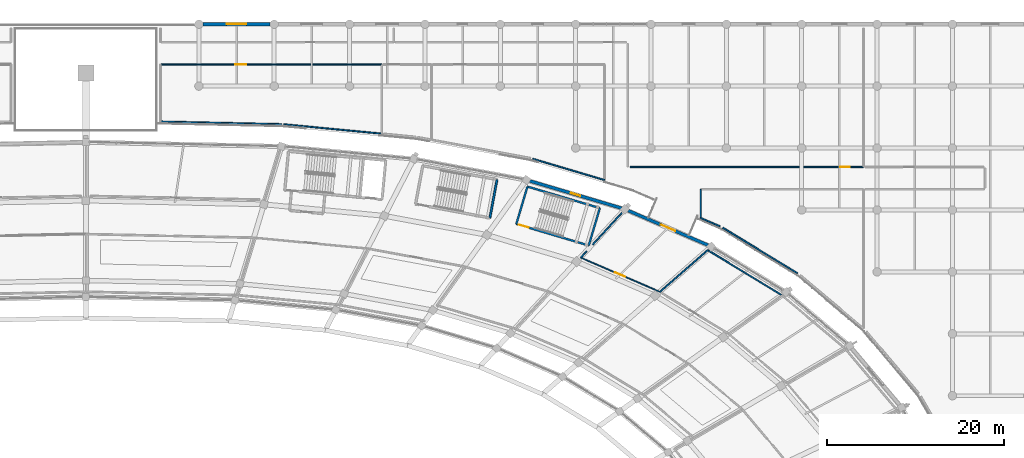
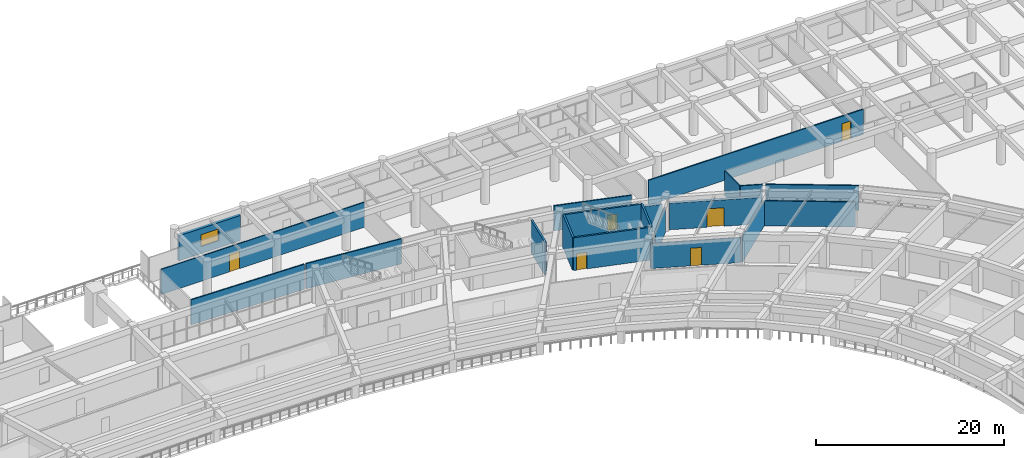
# One storey, part 112 of 145: 21 walls, 5 doors, 2 windows, 7 openings.
"""IFC4 building model written with IfcOpenShell, lengths in metres."""

import ifcopenshell
import ifcopenshell.guid

model = None  # the IFC model being written
_history = None  # IfcOwnerHistory: only IFC2X3 demands one
_inside = {}  # id of a spatial element -> (the spatial element, [elements in it])
_under = {}  # id of a project, library or spatial element -> (it, [spatial elements below it])
_declared = {}  # id of a project -> (the project, [libraries it declares])
_typed = {}  # id of a type object -> (the type object, [elements of that type])
_made_of = {}  # id of a material, layer set ... -> (it, [elements and type objects made of it])


def new_model(schema):
    """Start an empty IFC model of exactly this schema.

    Asked for "IFC4X3", IfcOpenShell would pick the latest addendum, in which some entities
    have other attributes; the version numbers below select the first issue.
    IFC2X3 requires an IfcOwnerHistory on every rooted entity: one is made here for all.
    """
    global model, _history
    if schema == "IFC4X3":
        model = ifcopenshell.file(schema_version=(4, 3, 0, 0))
    else:
        model = ifcopenshell.file(schema=schema)
    _inside.clear()
    _under.clear()
    _declared.clear()
    _typed.clear()
    _made_of.clear()
    _history = None
    if model.schema == "IFC2X3":
        org = make("IfcOrganization", Name="unknown")
        user = make(
            "IfcPersonAndOrganization",
            ThePerson=make("IfcPerson", FamilyName="unknown"),
            TheOrganization=org,
        )
        app = make(
            "IfcApplication",
            ApplicationDeveloper=org,
            Version="unknown",
            ApplicationFullName="unknown",
            ApplicationIdentifier="unknown",
        )
        _history = make(
            "IfcOwnerHistory",
            OwningUser=user,
            OwningApplication=app,
            ChangeAction="ADDED",
            CreationDate=0,
        )
    return model


def make(cls, **values):
    """One entity of the class cls with the attributes given. An attribute that is None is left unset."""
    return model.create_entity(
        cls, **{name: value for name, value in values.items() if value is not None}
    )


def rooted(cls, **values):
    """An entity with a GlobalId (a new one), such as an element, a storey or a relation."""
    return make(cls, GlobalId=ifcopenshell.guid.new(), OwnerHistory=_history, **values)


def si_unit(unit_type, name, prefix=None):
    """IfcSIUnit, for example si_unit("LENGTHUNIT", "METRE", prefix="MILLI")."""
    return make("IfcSIUnit", UnitType=unit_type, Prefix=prefix, Name=name)


def assignment(units):
    """IfcUnitAssignment: the units of a project."""
    return None if units is None else make("IfcUnitAssignment", Units=units)


def point(xyz):
    """IfcCartesianPoint."""
    return None if xyz is None else make("IfcCartesianPoint", Coordinates=xyz)


def direction(xyz):
    """IfcDirection."""
    return None if xyz is None else make("IfcDirection", DirectionRatios=xyz)


def frame(location, z_axis=None, x_axis=None):
    """IfcAxis2Placement3D, a coordinate frame: its origin and axes. An axis left out is left unset."""
    return make(
        "IfcAxis2Placement3D",
        Location=point(location),
        Axis=direction(z_axis),
        RefDirection=direction(x_axis),
    )


def frame_2d(location, x_axis=None):
    """IfcAxis2Placement2D, a coordinate frame in the plane: its origin and x axis."""
    return make(
        "IfcAxis2Placement2D", Location=point(location), RefDirection=direction(x_axis)
    )


def origin():
    """The frame at (0, 0, 0) with its axes left unset."""
    return frame((0.0, 0.0, 0.0))


def place(relative_to, where):
    """IfcLocalPlacement: puts the frame where relative to a parent placement (None: the world)."""
    return make(
        "IfcLocalPlacement", PlacementRelTo=relative_to, RelativePlacement=where
    )


def context(
    kind, dimensions, precision=None, world=None, true_north=None, identifier=None
):
    """IfcGeometricRepresentationContext, for example the 3D "Model" context."""
    return make(
        "IfcGeometricRepresentationContext",
        ContextIdentifier=identifier,
        ContextType=kind,
        CoordinateSpaceDimension=dimensions,
        Precision=precision,
        WorldCoordinateSystem=world,
        TrueNorth=true_north,
    )


def subcontext(parent, identifier, kind, view, scale=None):
    """IfcGeometricRepresentationSubContext, for example "Body" below "Model"."""
    return make(
        "IfcGeometricRepresentationSubContext",
        ContextIdentifier=identifier,
        ContextType=kind,
        ParentContext=parent,
        TargetScale=scale,
        TargetView=view,
    )


def project(units=None, contexts=None):
    """IfcProject with its units and contexts."""
    return rooted(
        "IfcProject",
        Name="project",
        RepresentationContexts=contexts,
        UnitsInContext=assignment(units),
    )


def spatial(cls, under=None, at=None, **own):
    """A site, building, storey or space (cls), placed at a placement, below another one or the project."""
    s = rooted(cls, ObjectPlacement=at, **own)
    if under is not None:
        _under.setdefault(under.id(), (under, []))[1].append(s)
    return s


def profile(cls, at=None, kind="AREA", **sizes):
    """A parametric profile (cls). Its sizes go by their IFC names, for example OverallWidth=200.0."""
    return make(cls, ProfileType=kind, Position=at, **sizes)


def rectangle(**sizes):
    """IfcRectangleProfileDef."""
    return profile("IfcRectangleProfileDef", **sizes)


def extrude(swept, where, along, depth):
    """IfcExtrudedAreaSolid: the profile swept, set in the frame where, extruded along a direction by depth."""
    return make(
        "IfcExtrudedAreaSolid",
        SweptArea=swept,
        Position=where,
        ExtrudedDirection=direction(along),
        Depth=depth,
    )


def shape(context_of_items, identifier, shape_type, items):
    """IfcShapeRepresentation: the items that make up one representation, for example the "Body"."""
    return make(
        "IfcShapeRepresentation",
        ContextOfItems=context_of_items,
        RepresentationIdentifier=identifier,
        RepresentationType=shape_type,
        Items=items,
    )


def material(Name=None, Category=None):
    """IfcMaterial."""
    return make("IfcMaterial", Name=Name, Category=Category)


def layer(
    of_material, thickness, ventilated=None, Name=None, Category=None, Priority=None
):
    """IfcMaterialLayer: one layer of a wall or slab, of a material (None: an air gap)."""
    return make(
        "IfcMaterialLayer",
        Material=of_material,
        LayerThickness=thickness,
        IsVentilated=ventilated,
        Name=Name,
        Category=Category,
        Priority=Priority,
    )


def layer_set(layers, Name=None):
    """IfcMaterialLayerSet."""
    return make("IfcMaterialLayerSet", MaterialLayers=layers, LayerSetName=Name)


def made_of(thing, what):
    """Note that an element or type object is made of a material, layer set ...; save() writes the relation."""
    if what is not None:
        _made_of.setdefault(what.id(), (what, []))[1].append(thing)
    return thing


def type_object(cls, material=None, **own):
    """A type object (cls), such as IfcWallType, which elements share."""
    return made_of(rooted(cls, **own), material)


def element(
    cls,
    number,
    at=None,
    inside=None,
    cuts=None,
    type_object=None,
    material=None,
    context=None,
    identifier="Body",
    shape_type=None,
    held_by="IfcProductDefinitionShape",
    body=None,
    shapes=None,
    **own,
):
    """One element of the class cls, such as IfcWall. Its Tag is "e" and its number.

    at: its placement. inside: the storey or other place that contains it. cuts: it is an
    opening in that element (IfcRelVoidsElement). A single representation is given by context,
    identifier, shape_type and body (its items); several are given by shapes. held_by: the class
    of the entity that holds the representations. save() writes the other relations.
    """
    e = rooted(cls, Tag="e%d" % number, ObjectPlacement=at, **own)
    if body is not None:
        shapes = [shape(context, identifier, shape_type, body)]
    if shapes is not None:
        e.Representation = make(held_by, Representations=shapes)
    if inside is not None:
        _inside.setdefault(inside.id(), (inside, []))[1].append(e)
    if cuts is not None:
        rooted(
            "IfcRelVoidsElement", RelatingBuildingElement=cuts, RelatedOpeningElement=e
        )
    if type_object is not None:
        _typed.setdefault(type_object.id(), (type_object, []))[1].append(e)
    return made_of(e, material)


def fill(opening, filler):
    """IfcRelFillsElement: the door or window that sits in an opening."""
    return rooted(
        "IfcRelFillsElement",
        RelatingOpeningElement=opening,
        RelatedBuildingElement=filler,
    )


def aggregate(whole, parts):
    """IfcRelAggregates: a whole, such as a stair, and the parts it consists of."""
    return rooted("IfcRelAggregates", RelatingObject=whole, RelatedObjects=parts)


def save(model, path):
    """Write the relations noted so far, then the file.

    IfcRelAggregates (storeys below a building ...), IfcRelContainedInSpatialStructure (elements
    in a storey), IfcRelDefinesByType, IfcRelAssociatesMaterial and IfcRelDeclares: one each for
    every whole, place, type object, material and project.
    """
    for whole, parts in _under.values():
        aggregate(whole, parts)
    for where, things in _inside.values():
        rooted(
            "IfcRelContainedInSpatialStructure",
            RelatedElements=things,
            RelatingStructure=where,
        )
    for kind, things in _typed.values():
        rooted("IfcRelDefinesByType", RelatedObjects=things, RelatingType=kind)
    for what, things in _made_of.values():
        rooted("IfcRelAssociatesMaterial", RelatedObjects=things, RelatingMaterial=what)
    for by, libraries in _declared.values():
        rooted("IfcRelDeclares", RelatingContext=by, RelatedDefinitions=libraries)
    model.write(path)


model = new_model("IFC4")

# Units and contexts
model_context = context("Model", 3, precision=1e-05, world=origin(), true_north=direction((0.0, 1.0)))
body_context = subcontext(model_context, "Body", "Model", "MODEL_VIEW")
ifc_project = project(units=[si_unit("LENGTHUNIT", "METRE"), si_unit("AREAUNIT", "SQUARE_METRE"), si_unit("VOLUMEUNIT", "CUBIC_METRE"), si_unit("PLANEANGLEUNIT", "RADIAN"), si_unit("MASSUNIT", "GRAM", prefix="KILO")], contexts=[model_context])

# Site, building, storey
site_placement = place(None, origin())
site = spatial("IfcSite", under=ifc_project, at=site_placement, CompositionType="ELEMENT")
building_placement = place(site_placement, origin())
building = spatial("IfcBuilding", under=site, at=building_placement, Name="Mphavela Belvedere Stadium", CompositionType="ELEMENT")
storey_placement = place(building_placement, frame((0.0, 0.0, 10.199951171875)))
storey = spatial("IfcBuildingStorey", under=building, at=storey_placement, Name="L02", CompositionType="ELEMENT", Elevation=10.199951171875)

# Walls
ifc_material_1 = material(Name="Concrete C40/50", Category="concrete")
ifc_layer_1 = layer(ifc_material_1, 0.219970703125)
ifc_layer_set_1 = layer_set([ifc_layer_1], Name="Concrete C40/50")
wall_type_1 = type_object("IfcWallType", Name="WAL-CORE-SHEAR-220", PredefinedType="SHEAR", material=ifc_layer_set_1)
wall_1_placement = place(storey_placement, frame((164.917724609375, 155.643798828125, 0.0), z_axis=(0.0, 0.0, 1.0), x_axis=(0.958675743706, -0.284500998997, 0.0)))
element("IfcWall", 1, at=wall_1_placement, inside=storey, type_object=wall_type_1, Name="Core P01 shear wall L02 rear", PredefinedType="SHEAR", context=body_context, shape_type="SweptSolid", body=[
    extrude(rectangle(XDim=8.540283203125, YDim=0.219970703125, at=frame_2d((4.27001953125, 0.0))), origin(), (0.0, 0.0, 1.0), 4.25),
])
wall_2_placement = place(storey_placement, frame((163.6630859375, 151.416015625, 0.0), z_axis=(0.0, 0.0, 1.0), x_axis=(0.284497328872, 0.958676832861, 0.0)))
element("IfcWall", 2, at=wall_2_placement, inside=storey, type_object=wall_type_1, Name="Core P01 shear wall L02 left", PredefinedType="SHEAR", context=body_context, shape_type="SweptSolid", body=[
    extrude(rectangle(XDim=4.409912109375, YDim=0.219970703125, at=frame_2d((2.205078125, 0.0))), origin(), (0.0, 0.0, 1.0), 4.25),
])
wall_3_placement = place(storey_placement, frame((171.85009765625, 148.986083984375, 0.0), z_axis=(0.0, 0.0, 1.0), x_axis=(0.284533106789, 0.958666214665, 0.0)))
element("IfcWall", 3, at=wall_3_placement, inside=storey, type_object=wall_type_1, Name="Core P01 shear wall L02 right", PredefinedType="SHEAR", context=body_context, shape_type="SweptSolid", body=[
    extrude(rectangle(XDim=4.410400390625, YDim=0.219970703125, at=frame_2d((2.205078125, 0.0))), origin(), (0.0, 0.0, 1.0), 4.25),
])

# Wall, opening, door
wall_4_placement = place(storey_placement, frame((163.6630859375, 151.416015625, 0.0), z_axis=(0.0, 0.0, 1.0), x_axis=(0.958665631999, -0.284535069937, 0.0)))
wall_4 = element("IfcWall", 4, at=wall_4_placement, inside=storey, type_object=wall_type_1, Name="Core P01 shear wall L02 front", PredefinedType="SHEAR", context=body_context, shape_type="SweptSolid", body=[
    extrude(rectangle(XDim=8.5400390625, YDim=0.219970703125, at=frame_2d((4.27001953125, 0.0))), origin(), (0.0, 0.0, 1.0), 4.25),
])
opening_1_placement = place(wall_4_placement, frame((0.300048828125, 0.0, 0.0)))
opening_1 = element("IfcOpeningElement", 5, at=opening_1_placement, cuts=wall_4, Name="Opening SD-069", PredefinedType="OPENING", context=body_context, shape_type="SweptSolid", body=[
    extrude(rectangle(XDim=1.14990234375, YDim=2.14990234375, at=frame_2d((0.574951171875, 1.074951171875))), frame((0.0, 0.1201171875, 0.0), z_axis=(0.0, -1.0, 0.0), x_axis=(1.0, 0.0, 0.0)), (0.0, 0.0, 1.0), 0.239990234375),
])
ifc_material_2 = material(Name="Steel acoustic fire-resisting stair doorset", Category="steel")
door_type_1 = type_object("IfcDoorType", Name="DR-STAIR-FIRE-1150", OperationType="NOTDEFINED", PredefinedType="DOOR", material=ifc_material_2)
door_1_placement = place(opening_1_placement, origin())
door_1 = element("IfcDoor", 6, at=door_1_placement, inside=storey, type_object=door_type_1, Name="Escape stair fire door P01 L02", OperationType="SINGLE_SWING_LEFT", OverallHeight=2.14990234375, OverallWidth=1.14990234375, PredefinedType="DOOR", context=body_context, shape_type="SweptSolid", body=[
    extrude(rectangle(XDim=1.14990234375, YDim=2.14990234375, at=frame_2d((0.574951171875, 1.074951171875))), frame((0.0, 0.02490234375, 0.0), z_axis=(0.0, -1.0, 0.0), x_axis=(1.0, 0.0, 0.0)), (0.0, 0.0, 1.0), 0.050048828125),
])
fill(opening_1, door_1)

# Wall
wall_5_placement = place(storey_placement, frame((160.674072265625, 152.1025390625, 0.0), z_axis=(0.0, 0.0, 1.0), x_axis=(0.183078394814, 0.983098317236, 0.0)))
element("IfcWall", 7, at=wall_5_placement, inside=storey, type_object=wall_type_1, Name="Core P02 shear wall L02 right", PredefinedType="SHEAR", context=body_context, shape_type="SweptSolid", body=[
    extrude(rectangle(XDim=4.409912109375, YDim=0.219970703125, at=frame_2d((2.205078125, 0.0))), origin(), (0.0, 0.0, 1.0), 4.25),
])

# Wall, opening, door
ifc_material_3 = material(Name="Honed ashlar limestone masonry", Category="masonry")
ifc_layer_2 = layer(ifc_material_3, 0.35009765625)
ifc_layer_set_2 = layer_set([ifc_layer_2], Name="Honed ashlar limestone masonry")
wall_type_2 = type_object("IfcWallType", Name="WAL-EXT-ASHLAR-350", PredefinedType="STANDARD", material=ifc_layer_set_2)
wall_6_placement = place(storey_placement, frame((176.302734375, 152.93310546875, 0.0), z_axis=(0.0, 0.0, 1.0), x_axis=(0.917498288986, -0.397739726088, 0.0)))
wall_6 = element("IfcWall", 8, at=wall_6_placement, inside=storey, type_object=wall_type_2, Name="Classical link portal wall L02-08", PredefinedType="STANDARD", context=body_context, shape_type="SweptSolid", body=[
    extrude(rectangle(XDim=9.840087890625, YDim=0.35009765625, at=frame_2d((4.919921875, 0.0))), origin(), (0.0, 0.0, 1.0), 3.420166015625),
])
opening_2_placement = place(wall_6_placement, frame((4.02001953125, 0.0, 0.0)))
opening_2 = element("IfcOpeningElement", 9, at=opening_2_placement, cuts=wall_6, Name="Opening ID-9207", PredefinedType="OPENING", context=body_context, shape_type="SweptSolid", body=[
    extrude(rectangle(XDim=1.800048828125, YDim=2.39990234375, at=frame_2d((0.89990234375, 1.199951171875))), frame((0.0, 0.18505859375, 0.0), z_axis=(0.0, -1.0, 0.0), x_axis=(1.0, 0.0, 0.0)), (0.0, 0.0, 1.0), 0.3701171875),
])
ifc_material_4 = material(Name="Glazed bronze-anodised steel exit doorset", Category="steel")
door_type_2 = type_object("IfcDoorType", Name="DR-EXT-01", OperationType="NOTDEFINED", PredefinedType="DOOR", material=ifc_material_4)
door_2_placement = place(opening_2_placement, origin())
door_2 = element("IfcDoor", 10, at=door_2_placement, inside=storey, type_object=door_type_2, Name="Wing promenade link doorset L02-08", OperationType="DOUBLE_DOOR_SINGLE_SWING", OverallHeight=2.39990234375, OverallWidth=1.800048828125, PredefinedType="DOOR", context=body_context, shape_type="SweptSolid", body=[
    extrude(rectangle(XDim=1.800048828125, YDim=2.39990234375, at=frame_2d((0.89990234375, 1.199951171875))), frame((0.0, 0.02490234375, 0.0), z_axis=(0.0, -1.0, 0.0), x_axis=(1.0, 0.0, 0.0)), (0.0, 0.0, 1.0), 0.050048828125),
])
fill(opening_2, door_2)

# Wall, opening, window
wall_7_placement = place(storey_placement, frame((175.55615234375, 153.20458984375, 0.0), z_axis=(0.0, 0.0, 1.0), x_axis=(-0.95866052287, 0.28455228323, 0.0)))
wall_7 = element("IfcWall", 11, at=wall_7_placement, inside=storey, type_object=wall_type_2, Name="Classical ashlar facade wall L02-09", PredefinedType="STANDARD", context=body_context, shape_type="SweptSolid", body=[
    extrude(rectangle(XDim=10.82080078125, YDim=0.35009765625, at=frame_2d((5.410400390625, 0.0))), origin(), (0.0, 0.0, 1.0), 3.420166015625),
])
opening_3_placement = place(wall_7_placement, frame((4.8603515625, 0.0, 0.89990234375)))
opening_3 = element("IfcOpeningElement", 12, at=opening_3_placement, cuts=wall_7, Name="Opening W-023", PredefinedType="OPENING", context=body_context, shape_type="SweptSolid", body=[
    extrude(rectangle(XDim=1.10009765625, YDim=1.949951171875, at=frame_2d((0.550048828125, 0.97509765625))), frame((0.0, 0.18505859375, 0.0), z_axis=(0.0, -1.0, 0.0), x_axis=(1.0, 0.0, 0.0)), (0.0, 0.0, 1.0), 0.3701171875),
])
ifc_material_5 = material(Name="Bronze-anodised thermally broken aluminium window", Category="aluminium")
window_type_1 = type_object("IfcWindowType", Name="WIN-EXT-23", PartitioningType="SINGLE_PANEL", PredefinedType="WINDOW", material=ifc_material_5)
window_1_placement = place(opening_3_placement, origin())
window_1 = element("IfcWindow", 13, at=window_1_placement, inside=storey, type_object=window_type_1, Name="Belvedere gallery window W-023", OverallHeight=1.949951171875, OverallWidth=1.10009765625, PartitioningType="SINGLE_PANEL", PredefinedType="WINDOW", context=body_context, shape_type="SweptSolid", body=[
    extrude(rectangle(XDim=1.10009765625, YDim=1.949951171875, at=frame_2d((0.550048828125, 0.97509765625))), frame((0.0, 0.030029296875, 0.0), z_axis=(0.0, -1.0, 0.0), x_axis=(1.0, 0.0, 0.0)), (0.0, 0.0, 1.0), 0.06005859375),
])
fill(opening_3, window_1)

wall_8_placement = place(storey_placement, frame((128.2509765625, 174.0, 0.0), z_axis=(0.0, 0.0, 1.0), x_axis=(1.0, 0.0, 0.0)))
wall_8 = element("IfcWall", 14, at=wall_8_placement, inside=storey, type_object=wall_type_2, Name="North Mast and Ceremonial End Forecourt outer facade bay L02-16", PredefinedType="STANDARD", context=body_context, shape_type="SweptSolid", body=[
    extrude(rectangle(XDim=7.572021484375, YDim=0.35009765625, at=frame_2d((3.7861328125, 0.0))), origin(), (0.0, 0.0, 1.0), 3.260009765625),
])
opening_4_placement = place(wall_8_placement, frame((2.676025390625, 0.0, 0.89990234375)))
opening_4 = element("IfcOpeningElement", 15, at=opening_4_placement, cuts=wall_8, Name="Opening W-185", PredefinedType="OPENING", context=body_context, shape_type="SweptSolid", body=[
    extrude(rectangle(XDim=2.219970703125, YDim=1.550048828125, at=frame_2d((1.10986328125, 0.77490234375))), frame((0.0, 0.18505859375, 0.0), z_axis=(0.0, -1.0, 0.0), x_axis=(1.0, 0.0, 0.0)), (0.0, 0.0, 1.0), 0.3701171875),
])
ifc_material_6 = material(Name="Bronze-anodised thermally broken aluminium window", Category="aluminium")
window_type_2 = type_object("IfcWindowType", Name="WIN-EXT-09", PartitioningType="SINGLE_PANEL", PredefinedType="WINDOW", material=ifc_material_6)
window_2_placement = place(opening_4_placement, origin())
window_2 = element("IfcWindow", 16, at=window_2_placement, inside=storey, type_object=window_type_2, Name="North Mast and Ceremonial End Forecourt classical window W-185", OverallHeight=1.550048828125, OverallWidth=2.219970703125, PartitioningType="SINGLE_PANEL", PredefinedType="WINDOW", context=body_context, shape_type="SweptSolid", body=[
    extrude(rectangle(XDim=2.219970703125, YDim=1.550048828125, at=frame_2d((1.10986328125, 0.77490234375))), frame((0.0, 0.030029296875, 0.0), z_axis=(0.0, -1.0, 0.0), x_axis=(1.0, 0.0, 0.0)), (0.0, 0.0, 1.0), 0.06005859375),
])
fill(opening_4, window_2)

# Wall, opening, door
ifc_material_7 = material(Name="Moisture-resistant sanitary partition assembly")
ifc_layer_3 = layer(ifc_material_7, 0.125)
ifc_layer_set_3 = layer_set([ifc_layer_3], Name="Moisture-resistant sanitary partition assembly")
wall_type_3 = type_object("IfcWallType", Name="WAL-PART-125", PredefinedType="PARTITIONING", material=ifc_layer_set_3)
wall_9_placement = place(storey_placement, frame((179.81982421875, 143.772216796875, 0.0), z_axis=(0.0, 0.0, 1.0), x_axis=(-0.917508957037, 0.39771511633, 0.0)))
wall_9 = element("IfcWall", 17, at=wall_9_placement, inside=storey, type_object=wall_type_3, Name="Room L02-55 corridor partition", PredefinedType="PARTITIONING", context=body_context, shape_type="SweptSolid", body=[
    extrude(rectangle(XDim=9.67138671875, YDim=0.125, at=frame_2d((4.835693359375, 0.0))), origin(), (0.0, 0.0, 1.0), 3.25),
])
opening_5_placement = place(wall_9_placement, frame((4.2255859375, 0.0, 0.0)))
opening_5 = element("IfcOpeningElement", 18, at=opening_5_placement, cuts=wall_9, Name="Opening ID-177", PredefinedType="OPENING", context=body_context, shape_type="SweptSolid", body=[
    extrude(rectangle(XDim=1.219970703125, YDim=2.300048828125, at=frame_2d((0.60986328125, 1.14990234375))), frame((0.0, 0.072509765625, 0.0), z_axis=(0.0, -1.0, 0.0), x_axis=(1.0, 0.0, 0.0)), (0.0, 0.0, 1.0), 0.14501953125),
])
ifc_material_8 = material(Name="Hardwood acoustic timber doorset", Category="wood")
door_type_3 = type_object("IfcDoorType", Name="DR-INT-33", OperationType="NOTDEFINED", PredefinedType="DOOR", material=ifc_material_8)
door_3_placement = place(opening_5_placement, origin())
door_3 = element("IfcDoor", 19, at=door_3_placement, inside=storey, type_object=door_type_3, Name="Room L02-55 entrance door ID-177", OperationType="SINGLE_SWING_LEFT", OverallHeight=2.300048828125, OverallWidth=1.219970703125, PredefinedType="DOOR", context=body_context, shape_type="SweptSolid", body=[
    extrude(rectangle(XDim=1.219970703125, YDim=2.300048828125, at=frame_2d((0.60986328125, 1.14990234375))), frame((0.0, 0.02490234375, 0.0), z_axis=(0.0, -1.0, 0.0), x_axis=(1.0, 0.0, 0.0)), (0.0, 0.0, 1.0), 0.050048828125),
])
fill(opening_5, door_3)

wall_10_placement = place(storey_placement, frame((123.5, 169.43994140625, 0.0), z_axis=(0.0, 0.0, 1.0), x_axis=(1.0, 0.0, 0.0)))
wall_10 = element("IfcWall", 20, at=wall_10_placement, inside=storey, type_object=wall_type_3, Name="Room L02-185 corridor partition", PredefinedType="PARTITIONING", context=body_context, shape_type="SweptSolid", body=[
    extrude(rectangle(XDim=24.945068359375, YDim=0.125, at=frame_2d((12.47265625, 0.0))), origin(), (0.0, 0.0, 1.0), 3.25),
])
opening_6_placement = place(wall_10_placement, frame((8.399658203125, 0.0, 0.0)))
opening_6 = element("IfcOpeningElement", 21, at=opening_6_placement, cuts=wall_10, Name="Opening ID-465", PredefinedType="OPENING", context=body_context, shape_type="SweptSolid", body=[
    extrude(rectangle(XDim=1.219970703125, YDim=2.300048828125, at=frame_2d((0.60986328125, 1.14990234375))), frame((0.0, 0.072509765625, 0.0), z_axis=(0.0, -1.0, 0.0), x_axis=(1.0, 0.0, 0.0)), (0.0, 0.0, 1.0), 0.14501953125),
])
door_4_placement = place(opening_6_placement, origin())
door_4 = element("IfcDoor", 22, at=door_4_placement, inside=storey, type_object=door_type_3, Name="Room L02-185 entrance door ID-465", OperationType="SINGLE_SWING_LEFT", OverallHeight=2.300048828125, OverallWidth=1.219970703125, PredefinedType="DOOR", context=body_context, shape_type="SweptSolid", body=[
    extrude(rectangle(XDim=1.219970703125, YDim=2.300048828125, at=frame_2d((0.60986328125, 1.14990234375))), frame((0.0, 0.02490234375, 0.0), z_axis=(0.0, -1.0, 0.0), x_axis=(1.0, 0.0, 0.0)), (0.0, 0.0, 1.0), 0.050048828125),
])
fill(opening_6, door_4)

ifc_material_9 = material(Name="Acoustic gypsum stud partition assembly")
ifc_layer_4 = layer(ifc_material_9, 0.14990234375)
ifc_layer_set_4 = layer_set([ifc_layer_4], Name="Acoustic gypsum stud partition assembly")
wall_type_4 = type_object("IfcWallType", Name="WAL-PART-150", PredefinedType="PARTITIONING", material=ifc_layer_set_4)
wall_11_placement = place(storey_placement, frame((202.89990234375, 157.860107421875, 0.0), z_axis=(0.0, 0.0, 1.0), x_axis=(-1.0, 0.0, 0.0)))
wall_11 = element("IfcWall", 23, at=wall_11_placement, inside=storey, type_object=wall_type_4, Name="Room L02-181 corridor partition", PredefinedType="PARTITIONING", context=body_context, shape_type="SweptSolid", body=[
    extrude(rectangle(XDim=26.349853515625, YDim=0.14990234375, at=frame_2d((13.1748046875, 0.0))), origin(), (0.0, 0.0, 1.0), 3.25),
])
opening_7_placement = place(wall_11_placement, frame((1.552490234375, 0.0, 0.0)))
opening_7 = element("IfcOpeningElement", 24, at=opening_7_placement, cuts=wall_11, Name="Opening ID-461", PredefinedType="OPENING", context=body_context, shape_type="SweptSolid", body=[
    extrude(rectangle(XDim=1.06005859375, YDim=2.300048828125, at=frame_2d((0.530029296875, 1.14990234375))), frame((0.0, 0.0849609375, 0.0), z_axis=(0.0, -1.0, 0.0), x_axis=(1.0, 0.0, 0.0)), (0.0, 0.0, 1.0), 0.169921875),
])
ifc_material_10 = material(Name="Hardwood acoustic timber doorset", Category="wood")
door_type_4 = type_object("IfcDoorType", Name="DR-INT-29", OperationType="NOTDEFINED", PredefinedType="DOOR", material=ifc_material_10)
door_5_placement = place(opening_7_placement, origin())
door_5 = element("IfcDoor", 25, at=door_5_placement, inside=storey, type_object=door_type_4, Name="Room L02-181 entrance door ID-461", OperationType="SINGLE_SWING_LEFT", OverallHeight=2.300048828125, OverallWidth=1.06005859375, PredefinedType="DOOR", context=body_context, shape_type="SweptSolid", body=[
    extrude(rectangle(XDim=1.06005859375, YDim=2.300048828125, at=frame_2d((0.530029296875, 1.14990234375))), frame((0.0, 0.02490234375, 0.0), z_axis=(0.0, -1.0, 0.0), x_axis=(1.0, 0.0, 0.0)), (0.0, 0.0, 1.0), 0.050048828125),
])
fill(opening_7, door_5)

# Walls
wall_12_placement = place(storey_placement, frame((179.89453125, 143.731201171875, 0.0), z_axis=(0.0, 0.0, 1.0), x_axis=(0.752564061831, 0.658519045162, 0.0)))
element("IfcWall", 26, at=wall_12_placement, inside=storey, type_object=wall_type_4, Name="Room divider partition L02-0311", PredefinedType="PARTITIONING", context=body_context, shape_type="SweptSolid", body=[
    extrude(rectangle(XDim=7.18310546875, YDim=0.14990234375, at=frame_2d((3.591552734375, 0.0))), origin(), (0.0, 0.0, 1.0), 3.25),
])
wall_13_placement = place(storey_placement, frame((185.30029296875, 148.46142578125, 0.0), z_axis=(0.0, 0.0, 1.0), x_axis=(0.854323689683, -0.519741313777, 0.0)))
element("IfcWall", 27, at=wall_13_placement, inside=storey, type_object=wall_type_4, Name="Room divider partition L02-0312", PredefinedType="PARTITIONING", context=body_context, shape_type="SweptSolid", body=[
    extrude(rectangle(XDim=9.755859375, YDim=0.14990234375, at=frame_2d((4.8779296875, 0.0))), origin(), (0.0, 0.0, 1.0), 3.25),
])
wall_14_placement = place(storey_placement, frame((172.2861328125, 149.072021484375, 0.0), z_axis=(0.0, 0.0, 1.0), x_axis=(0.67785928919, 0.735191664846, 0.0)))
element("IfcWall", 28, at=wall_14_placement, inside=storey, type_object=wall_type_4, Name="Room divider partition L02-0315", PredefinedType="PARTITIONING", context=body_context, shape_type="SweptSolid", body=[
    extrude(rectangle(XDim=4.892822265625, YDim=0.14990234375, at=frame_2d((2.4462890625, 0.0))), origin(), (0.0, 0.0, 1.0), 3.25),
])
wall_15_placement = place(storey_placement, frame((170.9462890625, 147.61865234375, 0.0), z_axis=(0.0, 0.0, 1.0), x_axis=(0.677781704722, 0.735263191479, 0.0)))
element("IfcWall", 29, at=wall_15_placement, inside=storey, type_object=wall_type_4, Name="Room divider partition L02-0316", PredefinedType="PARTITIONING", context=body_context, shape_type="SweptSolid", body=[
    extrude(rectangle(XDim=0.976806640625, YDim=0.14990234375, at=frame_2d((0.48828125, 0.0))), origin(), (0.0, 0.0, 1.0), 3.25),
])
wall_16_placement = place(storey_placement, frame((195.455078125, 145.850341796875, 0.0), z_axis=(0.0, 0.0, 1.0), x_axis=(-0.854333268174, 0.519725568826, 0.0)))
element("IfcWall", 30, at=wall_16_placement, inside=storey, type_object=wall_type_4, Name="Room divider partition L02-1008", PredefinedType="PARTITIONING", context=body_context, shape_type="SweptSolid", body=[
    extrude(rectangle(XDim=9.90185546875, YDim=0.14990234375, at=frame_2d((4.950927734375, 0.0))), origin(), (0.0, 0.0, 1.0), 3.25),
])
wall_17_placement = place(storey_placement, frame((186.6904296875, 151.154541015625, 0.0), z_axis=(0.0, 0.0, 1.0), x_axis=(-0.917484400903, 0.397771761314, 0.0)))
element("IfcWall", 31, at=wall_17_placement, inside=storey, type_object=wall_type_4, Name="Room divider partition L02-1009", PredefinedType="PARTITIONING", context=body_context, shape_type="SweptSolid", body=[
    extrude(rectangle(XDim=2.37646484375, YDim=0.14990234375, at=frame_2d((1.188232421875, 0.0))), origin(), (0.0, 0.0, 1.0), 3.25),
])
wall_18_placement = place(storey_placement, frame((184.510009765625, 152.099853515625, 0.0), z_axis=(0.0, 0.0, 1.0), x_axis=(0.0, 1.0, 0.0)))
element("IfcWall", 32, at=wall_18_placement, inside=storey, type_object=wall_type_4, Name="Room divider partition L02-1010", PredefinedType="PARTITIONING", context=body_context, shape_type="SweptSolid", body=[
    extrude(rectangle(XDim=3.240234375, YDim=0.14990234375, at=frame_2d((1.6201171875, 0.0))), origin(), (0.0, 0.0, 1.0), 3.25),
])
wall_19_placement = place(storey_placement, frame((137.16845703125, 162.693115234375, 0.0), z_axis=(0.0, 0.0, 1.0), x_axis=(-0.999768230535, 0.021528706714, 0.0)))
element("IfcWall", 33, at=wall_19_placement, inside=storey, type_object=wall_type_4, Name="Room divider partition L02-1028", PredefinedType="PARTITIONING", context=body_context, shape_type="SweptSolid", body=[
    extrude(rectangle(XDim=13.7216796875, YDim=0.14990234375, at=frame_2d((6.86083984375, 0.0))), origin(), (0.0, 0.0, 1.0), 3.25),
])
wall_20_placement = place(storey_placement, frame((148.445068359375, 161.624755859375, 0.0), z_axis=(0.0, 0.0, 1.0), x_axis=(-0.995483944756, 0.094930057059, 0.0)))
element("IfcWall", 34, at=wall_20_placement, inside=storey, type_object=wall_type_4, Name="Room divider partition L02-1031", PredefinedType="PARTITIONING", context=body_context, shape_type="SweptSolid", body=[
    extrude(rectangle(XDim=11.1435546875, YDim=0.14990234375, at=frame_2d((5.57177734375, 0.0))), origin(), (0.0, 0.0, 1.0), 3.25),
])
wall_21_placement = place(storey_placement, frame((173.639892578125, 156.381103515625, 0.0), z_axis=(0.0, 0.0, 1.0), x_axis=(-0.95866000112, 0.284554041006, 0.0)))
element("IfcWall", 35, at=wall_21_placement, inside=storey, type_object=wall_type_4, Name="Room divider partition L02-1036", PredefinedType="PARTITIONING", context=body_context, shape_type="SweptSolid", body=[
    extrude(rectangle(XDim=8.477783203125, YDim=0.14990234375, at=frame_2d((4.23876953125, 0.0))), origin(), (0.0, 0.0, 1.0), 3.25),
])

save(model, "model.ifc")
